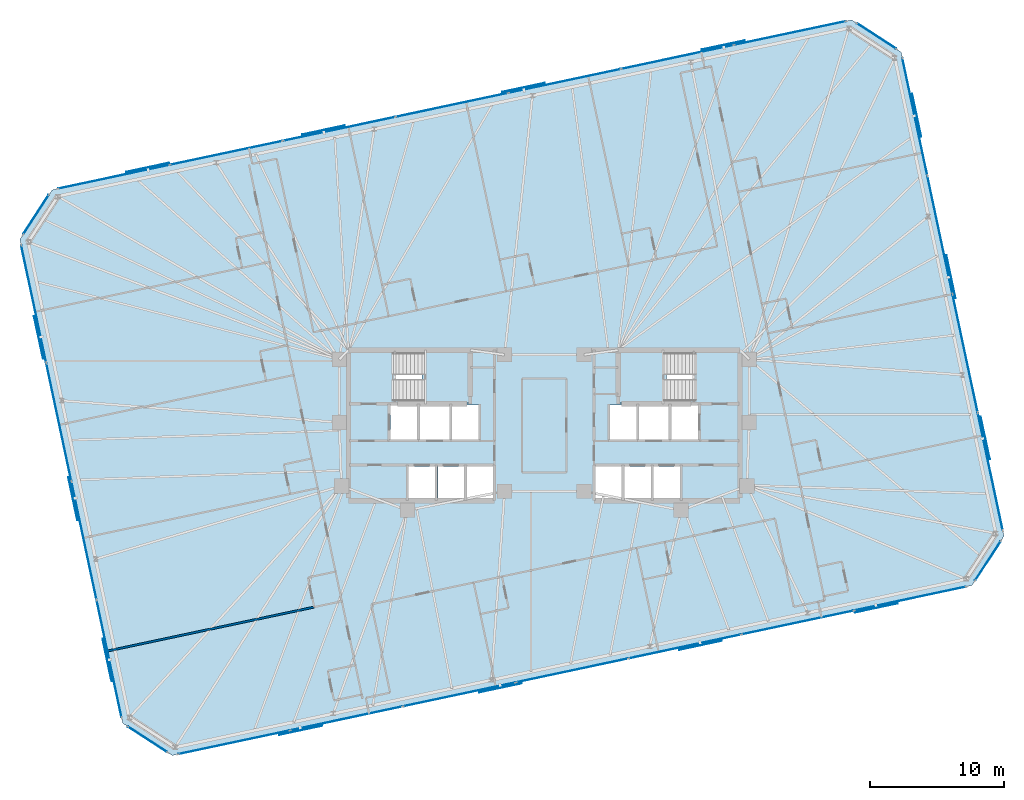
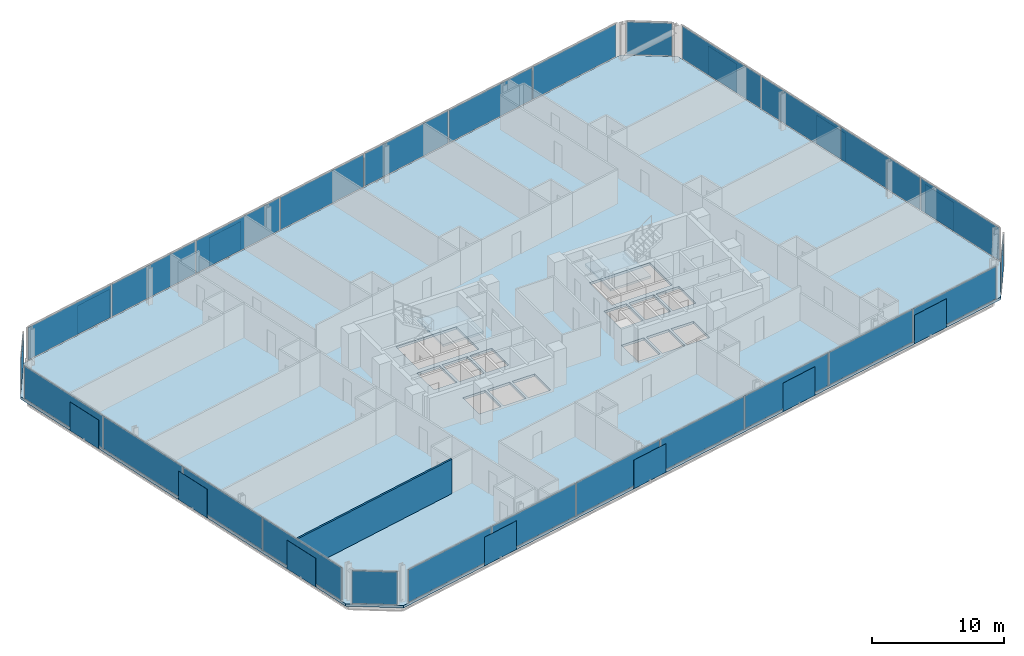
# One storey, part 13 of 19: 40 plates, 3 slabs, 1 wall, 10 elements without a shape of their own.
"""IFC4 building model written with IfcOpenShell, lengths in metres."""

from ifc_helpers import new_model, si_unit, direction, frame, frame_2d, origin, origin_2d, place, context, subcontext, project, spatial, polyline, rectangle, outline, extrude, material, layer, layer_set, type_object, element, aggregate, save


model = new_model("IFC4")

# Units and contexts
model_context = context("Model", 3, precision=1e-05, world=origin(), true_north=direction((0.0, 1.0)))
body_context = subcontext(model_context, "Body", "Model", "MODEL_VIEW")
ifc_project = project(units=[si_unit("LENGTHUNIT", "METRE"), si_unit("AREAUNIT", "SQUARE_METRE"), si_unit("VOLUMEUNIT", "CUBIC_METRE"), si_unit("PLANEANGLEUNIT", "RADIAN"), si_unit("MASSUNIT", "GRAM", prefix="KILO")], contexts=[model_context])

# Site, building, storey
site_placement = place(None, origin())
site = spatial("IfcSite", under=ifc_project, at=site_placement, CompositionType="ELEMENT")
building_placement = place(site_placement, origin())
building = spatial("IfcBuilding", under=site, at=building_placement, Name="Menara Jurai Vektor", CompositionType="ELEMENT")
storey_placement = place(building_placement, frame((0.0, 0.0, 182.0)))
storey = spatial("IfcBuildingStorey", under=building, at=storey_placement, Name="L47", CompositionType="ELEMENT", Elevation=182.0)

# Curtain wall, plates
ifc_material_1 = material(Name="Anodised Pale Aluminium & Low-E Double Glazing", Category="aluminium")
curtain_wall_type = type_object("IfcCurtainWallType", Name="CW-BLK3", PredefinedType="NOTDEFINED", material=ifc_material_1)
curtain_wall_1_placement = place(storey_placement, origin())
curtain_wall_1 = element("IfcCurtainWall", 1, at=curtain_wall_1_placement, inside=storey, type_object=curtain_wall_type, Name="Unitised Curtain Wall L47 F01", PredefinedType="NOTDEFINED")
ifc_material_2 = material(Name="Low-E Solar-Control Double Glazed Unit", Category="glass")
ifc_layer_1 = layer(ifc_material_2, 0.031982421875)
ifc_layer_set_1 = layer_set([ifc_layer_1], Name="Low-E Solar-Control Double Glazed Unit")
plate_type_1 = type_object("IfcPlateType", Name="CW-BLK3-PNL", PredefinedType="CURTAIN_PANEL", material=ifc_layer_set_1)
plate_1_placement = place(storey_placement, frame((-23.078369140625, -23.57568359375, 0.0849609375), z_axis=(0.0, 0.0, 1.0), x_axis=(0.978147674419, 0.207911344156, 0.0)))
plate_1 = element("IfcPlate", 2, at=plate_1_placement, type_object=plate_type_1, Name="CW-03 panel 1.1", PredefinedType="CURTAIN_PANEL", context=body_context, shape_type="SweptSolid", body=[
    extrude(rectangle(XDim=8.44970703125, YDim=0.031982421875, at=origin_2d()), origin(), (0.0, 0.0, 1.0), 3.0048828125),
])
plate_2_placement = place(storey_placement, frame((-14.709228515625, -21.796875, 0.0849609375), z_axis=(0.0, 0.0, 1.0), x_axis=(0.978147674419, 0.207911344156, 0.0)))
plate_2 = element("IfcPlate", 3, at=plate_2_placement, type_object=plate_type_1, Name="CW-03 panel 2.1", PredefinedType="CURTAIN_PANEL", context=body_context, shape_type="SweptSolid", body=[
    extrude(rectangle(XDim=8.4921875, YDim=0.031982421875, at=origin_2d()), origin(), (0.0, 0.0, 1.0), 3.0048828125),
])
plate_3_placement = place(storey_placement, frame((-6.319580078125, -20.013427734375, 0.0849609375), z_axis=(0.0, 0.0, 1.0), x_axis=(0.978147674419, 0.207911344156, 0.0)))
plate_3 = element("IfcPlate", 4, at=plate_3_placement, type_object=plate_type_1, Name="CW-03 panel 3.1", PredefinedType="CURTAIN_PANEL", context=body_context, shape_type="SweptSolid", body=[
    extrude(rectangle(XDim=8.4921875, YDim=0.031982421875, at=origin_2d()), origin(), (0.0, 0.0, 1.0), 3.0048828125),
])
plate_4_placement = place(storey_placement, frame((2.070068359375, -18.230224609375, 0.0849609375), z_axis=(0.0, 0.0, 1.0), x_axis=(0.978147674419, 0.207911344156, 0.0)))
plate_4 = element("IfcPlate", 5, at=plate_4_placement, type_object=plate_type_1, Name="CW-03 panel 4.1", PredefinedType="CURTAIN_PANEL", context=body_context, shape_type="SweptSolid", body=[
    extrude(rectangle(XDim=8.4921875, YDim=0.031982421875, at=origin_2d()), origin(), (0.0, 0.0, 1.0), 3.0048828125),
])
plate_5_placement = place(storey_placement, frame((10.459716796875, -16.447021484375, 0.0849609375), z_axis=(0.0, 0.0, 1.0), x_axis=(0.978147674419, 0.207911344156, 0.0)))
plate_5 = element("IfcPlate", 6, at=plate_5_placement, type_object=plate_type_1, Name="CW-03 panel 5.1", PredefinedType="CURTAIN_PANEL", context=body_context, shape_type="SweptSolid", body=[
    extrude(rectangle(XDim=8.4921875, YDim=0.031982421875, at=origin_2d()), origin(), (0.0, 0.0, 1.0), 3.0048828125),
])
plate_6_placement = place(storey_placement, frame((18.849609375, -14.66357421875, 0.0849609375), z_axis=(0.0, 0.0, 1.0), x_axis=(0.978147674419, 0.207911344156, 0.0)))
plate_6 = element("IfcPlate", 7, at=plate_6_placement, type_object=plate_type_1, Name="CW-03 panel 6.1", PredefinedType="CURTAIN_PANEL", context=body_context, shape_type="SweptSolid", body=[
    extrude(rectangle(XDim=8.4921875, YDim=0.031982421875, at=origin_2d()), origin(), (0.0, 0.0, 1.0), 3.0048828125),
])
plate_7_placement = place(storey_placement, frame((27.218505859375, -12.884765625, 0.0849609375), z_axis=(0.0, 0.0, 1.0), x_axis=(0.978147674419, 0.207911344156, 0.0)))
plate_7 = element("IfcPlate", 8, at=plate_7_placement, type_object=plate_type_1, Name="CW-03 panel 7.1", PredefinedType="CURTAIN_PANEL", context=body_context, shape_type="SweptSolid", body=[
    extrude(rectangle(XDim=8.44970703125, YDim=0.031982421875, at=origin_2d()), origin(), (0.0, 0.0, 1.0), 3.0048828125),
])
aggregate(curtain_wall_1, [plate_1, plate_2, plate_3, plate_4, plate_5, plate_6, plate_7])

curtain_wall_2_placement = place(storey_placement, origin())
curtain_wall_2 = element("IfcCurtainWall", 9, at=curtain_wall_2_placement, inside=storey, type_object=curtain_wall_type, Name="Unitised Curtain Wall L47 F03", PredefinedType="NOTDEFINED")
plate_8_placement = place(storey_placement, frame((33.17333984375, -3.433837890625, 0.0849609375), z_axis=(0.0, 0.0, 1.0), x_axis=(-0.20791035839, 0.978147883949, 0.0)))
plate_8 = element("IfcPlate", 10, at=plate_8_placement, type_object=plate_type_1, Name="CW-03 panel 1.1", PredefinedType="CURTAIN_PANEL", context=body_context, shape_type="SweptSolid", body=[
    extrude(rectangle(XDim=8.882568359375, YDim=0.031982421875, at=origin_2d()), origin(), (0.0, 0.0, 1.0), 3.0048828125),
])
plate_9_placement = place(storey_placement, frame((31.3046875, 5.3583984375, 0.0849609375), z_axis=(0.0, 0.0, 1.0), x_axis=(-0.20791035839, 0.978147883949, 0.0)))
plate_9 = element("IfcPlate", 11, at=plate_9_placement, type_object=plate_type_1, Name="CW-03 panel 2.1", PredefinedType="CURTAIN_PANEL", context=body_context, shape_type="SweptSolid", body=[
    extrude(rectangle(XDim=8.925048828125, YDim=0.031982421875, at=origin_2d()), origin(), (0.0, 0.0, 1.0), 3.0048828125),
])
plate_10_placement = place(storey_placement, frame((29.431396484375, 14.171630859375, 0.0849609375), z_axis=(0.0, 0.0, 1.0), x_axis=(-0.20791035839, 0.978147883949, 0.0)))
plate_10 = element("IfcPlate", 12, at=plate_10_placement, type_object=plate_type_1, Name="CW-03 panel 3.1", PredefinedType="CURTAIN_PANEL", context=body_context, shape_type="SweptSolid", body=[
    extrude(rectangle(XDim=8.925048828125, YDim=0.031982421875, at=origin_2d()), origin(), (0.0, 0.0, 1.0), 3.0048828125),
])
plate_11_placement = place(storey_placement, frame((27.5625, 22.9638671875, 0.0849609375), z_axis=(0.0, 0.0, 1.0), x_axis=(-0.20791035839, 0.978147883949, 0.0)))
plate_11 = element("IfcPlate", 13, at=plate_11_placement, type_object=plate_type_1, Name="CW-03 panel 4.1", PredefinedType="CURTAIN_PANEL", context=body_context, shape_type="SweptSolid", body=[
    extrude(rectangle(XDim=8.882568359375, YDim=0.031982421875, at=origin_2d()), origin(), (0.0, 0.0, 1.0), 3.0048828125),
])
aggregate(curtain_wall_2, [plate_8, plate_9, plate_10, plate_11])

curtain_wall_3_placement = place(storey_placement, origin())
curtain_wall_3 = element("IfcCurtainWall", 14, at=curtain_wall_3_placement, inside=storey, type_object=curtain_wall_type, Name="Unitised Curtain Wall L47 F05", PredefinedType="NOTDEFINED")
plate_12_placement = place(storey_placement, frame((18.2783203125, 29.175537109375, 0.0849609375), z_axis=(0.0, 0.0, 1.0), x_axis=(-0.978147674419, -0.207911344156, 0.0)))
plate_12 = element("IfcPlate", 15, at=plate_12_placement, type_object=plate_type_1, Name="CW-03 panel 1.1", PredefinedType="CURTAIN_PANEL", context=body_context, shape_type="SweptSolid", body=[
    extrude(rectangle(XDim=8.44970703125, YDim=0.031982421875, at=origin_2d()), origin(), (0.0, 0.0, 1.0), 3.0048828125),
])
plate_13_placement = place(storey_placement, frame((9.909423828125, 27.396728515625, 0.0849609375), z_axis=(0.0, 0.0, 1.0), x_axis=(-0.978147674419, -0.207911344156, 0.0)))
plate_13 = element("IfcPlate", 16, at=plate_13_placement, type_object=plate_type_1, Name="CW-03 panel 2.1", PredefinedType="CURTAIN_PANEL", context=body_context, shape_type="SweptSolid", body=[
    extrude(rectangle(XDim=8.4921875, YDim=0.031982421875, at=origin_2d()), origin(), (0.0, 0.0, 1.0), 3.0048828125),
])
plate_14_placement = place(storey_placement, frame((1.51953125, 25.613525390625, 0.0849609375), z_axis=(0.0, 0.0, 1.0), x_axis=(-0.978147674419, -0.207911344156, 0.0)))
plate_14 = element("IfcPlate", 17, at=plate_14_placement, type_object=plate_type_1, Name="CW-03 panel 3.1", PredefinedType="CURTAIN_PANEL", context=body_context, shape_type="SweptSolid", body=[
    extrude(rectangle(XDim=8.4921875, YDim=0.031982421875, at=origin_2d()), origin(), (0.0, 0.0, 1.0), 3.0048828125),
])
plate_15_placement = place(storey_placement, frame((-6.8701171875, 23.830078125, 0.0849609375), z_axis=(0.0, 0.0, 1.0), x_axis=(-0.978147674419, -0.207911344156, 0.0)))
plate_15 = element("IfcPlate", 18, at=plate_15_placement, type_object=plate_type_1, Name="CW-03 panel 4.1", PredefinedType="CURTAIN_PANEL", context=body_context, shape_type="SweptSolid", body=[
    extrude(rectangle(XDim=8.4921875, YDim=0.031982421875, at=origin_2d()), origin(), (0.0, 0.0, 1.0), 3.0048828125),
])
plate_16_placement = place(storey_placement, frame((-15.259765625, 22.046875, 0.0849609375), z_axis=(0.0, 0.0, 1.0), x_axis=(-0.978147674419, -0.207911344156, 0.0)))
plate_16 = element("IfcPlate", 19, at=plate_16_placement, type_object=plate_type_1, Name="CW-03 panel 5.1", PredefinedType="CURTAIN_PANEL", context=body_context, shape_type="SweptSolid", body=[
    extrude(rectangle(XDim=8.4921875, YDim=0.031982421875, at=origin_2d()), origin(), (0.0, 0.0, 1.0), 3.0048828125),
])
plate_17_placement = place(storey_placement, frame((-23.6494140625, 20.263671875, 0.0849609375), z_axis=(0.0, 0.0, 1.0), x_axis=(-0.978147674419, -0.207911344156, 0.0)))
plate_17 = element("IfcPlate", 20, at=plate_17_placement, type_object=plate_type_1, Name="CW-03 panel 6.1", PredefinedType="CURTAIN_PANEL", context=body_context, shape_type="SweptSolid", body=[
    extrude(rectangle(XDim=8.4921875, YDim=0.031982421875, at=origin_2d()), origin(), (0.0, 0.0, 1.0), 3.0048828125),
])
plate_18_placement = place(storey_placement, frame((-32.0185546875, 18.48486328125, 0.0849609375), z_axis=(0.0, 0.0, 1.0), x_axis=(-0.978147674419, -0.207911344156, 0.0)))
plate_18 = element("IfcPlate", 21, at=plate_18_placement, type_object=plate_type_1, Name="CW-03 panel 7.1", PredefinedType="CURTAIN_PANEL", context=body_context, shape_type="SweptSolid", body=[
    extrude(rectangle(XDim=8.44970703125, YDim=0.031982421875, at=origin_2d()), origin(), (0.0, 0.0, 1.0), 3.0048828125),
])
aggregate(curtain_wall_3, [plate_12, plate_13, plate_14, plate_15, plate_16, plate_17, plate_18])

curtain_wall_4_placement = place(storey_placement, origin())
curtain_wall_4 = element("IfcCurtainWall", 22, at=curtain_wall_4_placement, inside=storey, type_object=curtain_wall_type, Name="Unitised Curtain Wall L47 F07", PredefinedType="NOTDEFINED")
plate_19_placement = place(storey_placement, frame((-37.973388671875, 9.033935546875, 0.0849609375), z_axis=(0.0, 0.0, 1.0), x_axis=(0.20791035839, -0.978147883949, 0.0)))
plate_19 = element("IfcPlate", 23, at=plate_19_placement, type_object=plate_type_1, Name="CW-03 panel 1.1", PredefinedType="CURTAIN_PANEL", context=body_context, shape_type="SweptSolid", body=[
    extrude(rectangle(XDim=8.882568359375, YDim=0.031982421875, at=origin_2d()), origin(), (0.0, 0.0, 1.0), 3.0048828125),
])
plate_20_placement = place(storey_placement, frame((-36.1044921875, 0.241455078125, 0.0849609375), z_axis=(0.0, 0.0, 1.0), x_axis=(0.20791035839, -0.978147883949, 0.0)))
plate_20 = element("IfcPlate", 24, at=plate_20_placement, type_object=plate_type_1, Name="CW-03 panel 2.1", PredefinedType="CURTAIN_PANEL", context=body_context, shape_type="SweptSolid", body=[
    extrude(rectangle(XDim=8.925048828125, YDim=0.031982421875, at=origin_2d()), origin(), (0.0, 0.0, 1.0), 3.0048828125),
])
plate_21_placement = place(storey_placement, frame((-34.231201171875, -8.571533203125, 0.0849609375), z_axis=(0.0, 0.0, 1.0), x_axis=(0.20791035839, -0.978147883949, 0.0)))
plate_21 = element("IfcPlate", 25, at=plate_21_placement, type_object=plate_type_1, Name="CW-03 panel 3.1", PredefinedType="CURTAIN_PANEL", context=body_context, shape_type="SweptSolid", body=[
    extrude(rectangle(XDim=8.925048828125, YDim=0.031982421875, at=origin_2d()), origin(), (0.0, 0.0, 1.0), 3.0048828125),
])
plate_22_placement = place(storey_placement, frame((-32.362548828125, -17.364013671875, 0.0849609375), z_axis=(0.0, 0.0, 1.0), x_axis=(0.20791035839, -0.978147883949, 0.0)))
plate_22 = element("IfcPlate", 26, at=plate_22_placement, type_object=plate_type_1, Name="CW-03 panel 4.1", PredefinedType="CURTAIN_PANEL", context=body_context, shape_type="SweptSolid", body=[
    extrude(rectangle(XDim=8.882568359375, YDim=0.031982421875, at=origin_2d()), origin(), (0.0, 0.0, 1.0), 3.0048828125),
])
aggregate(curtain_wall_4, [plate_19, plate_20, plate_21, plate_22])

# Curtain wall, plate
curtain_wall_5_placement = place(storey_placement, origin())
curtain_wall_5 = element("IfcCurtainWall", 27, at=curtain_wall_5_placement, inside=storey, type_object=curtain_wall_type, Name="Unitised Curtain Wall L47 F02", PredefinedType="NOTDEFINED")
ifc_material_3 = material(Name="Insulated Pale Aluminium Spandrel Panel", Category="aluminium")
ifc_layer_2 = layer(ifc_material_3, 0.06005859375)
ifc_layer_set_2 = layer_set([ifc_layer_2], Name="Insulated Pale Aluminium Spandrel Panel")
plate_type_2 = type_object("IfcPlateType", Name="CW-PNL-SP", PredefinedType="CURTAIN_PANEL", material=ifc_layer_set_2)
plate_23_placement = place(storey_placement, frame((32.999755859375, -10.0712890625, 0.0849609375), z_axis=(0.0, 0.0, 1.0), x_axis=(0.544617794346, 0.838684361415, 0.0)))
plate_23 = element("IfcPlate", 28, at=plate_23_placement, type_object=plate_type_2, Name="CW-03 panel 1.1", PredefinedType="CURTAIN_PANEL", context=body_context, shape_type="SweptSolid", body=[
    extrude(rectangle(XDim=3.4541015625, YDim=0.06005859375, at=origin_2d()), origin(), (0.0, 0.0, 1.0), 3.0048828125),
])
aggregate(curtain_wall_5, [plate_23])

curtain_wall_6_placement = place(storey_placement, origin())
curtain_wall_6 = element("IfcCurtainWall", 29, at=curtain_wall_6_placement, inside=storey, type_object=curtain_wall_type, Name="Unitised Curtain Wall L47 F04", PredefinedType="NOTDEFINED")
plate_24_placement = place(storey_placement, frame((24.7041015625, 28.956787109375, 0.0849609375), z_axis=(0.0, 0.0, 1.0), x_axis=(-0.838684361415, 0.544617794346, 0.0)))
plate_24 = element("IfcPlate", 30, at=plate_24_placement, type_object=plate_type_2, Name="CW-03 panel 1.1", PredefinedType="CURTAIN_PANEL", context=body_context, shape_type="SweptSolid", body=[
    extrude(rectangle(XDim=3.4541015625, YDim=0.06005859375, at=origin_2d()), origin(), (0.0, 0.0, 1.0), 3.0048828125),
])
aggregate(curtain_wall_6, [plate_24])

curtain_wall_7_placement = place(storey_placement, origin())
curtain_wall_7 = element("IfcCurtainWall", 31, at=curtain_wall_7_placement, inside=storey, type_object=curtain_wall_type, Name="Unitised Curtain Wall L47 F06", PredefinedType="NOTDEFINED")
plate_25_placement = place(storey_placement, frame((-37.799560546875, 15.67138671875, 0.0849609375), z_axis=(0.0, 0.0, 1.0), x_axis=(-0.544617794346, -0.838684361415, 0.0)))
plate_25 = element("IfcPlate", 32, at=plate_25_placement, type_object=plate_type_2, Name="CW-03 panel 1.1", PredefinedType="CURTAIN_PANEL", context=body_context, shape_type="SweptSolid", body=[
    extrude(rectangle(XDim=3.4541015625, YDim=0.06005859375, at=origin_2d()), origin(), (0.0, 0.0, 1.0), 3.0048828125),
])
aggregate(curtain_wall_7, [plate_25])

curtain_wall_8_placement = place(storey_placement, origin())
curtain_wall_8 = element("IfcCurtainWall", 33, at=curtain_wall_8_placement, inside=storey, type_object=curtain_wall_type, Name="Unitised Curtain Wall L47 F08", PredefinedType="NOTDEFINED")
plate_26_placement = place(storey_placement, frame((-29.50390625, -23.35693359375, 0.0849609375), z_axis=(0.0, 0.0, 1.0), x_axis=(0.838684361415, -0.544617794346, 0.0)))
plate_26 = element("IfcPlate", 34, at=plate_26_placement, type_object=plate_type_2, Name="CW-03 panel 1.1", PredefinedType="CURTAIN_PANEL", context=body_context, shape_type="SweptSolid", body=[
    extrude(rectangle(XDim=3.4541015625, YDim=0.06005859375, at=origin_2d()), origin(), (0.0, 0.0, 1.0), 3.0048828125),
])
aggregate(curtain_wall_8, [plate_26])

# Plates
ifc_material_4 = material(Name="Anodised Pale Aluminium Perforated Screen", Category="aluminium")
ifc_layer_3 = layer(ifc_material_4, 0.02294921875)
ifc_layer_set_3 = layer_set([ifc_layer_3], Name="Anodised Pale Aluminium Perforated Screen")
plate_type_3 = type_object("IfcPlateType", Name="ENV-PLT-SCREEN-MID", PredefinedType="USERDEFINED", material=ifc_layer_set_3)
for number, where, z_axis, x_axis, name in (
    (35, (-18.116943359375, -22.6845703125, -0.050048828125), (0.0, 0.0, 1.0), (0.978147600734, 0.207911690818, 0.0), "Perforated Pale-Metal Solar Screen L47-S01"),
    (36, (-3.2490234375, -19.5244140625, -0.050048828125), (0.0, 0.0, 1.0), (0.978147600734, 0.207911690818, 0.0), "Perforated Pale-Metal Solar Screen L47-S02"),
    (37, (11.618896484375, -16.364013671875, -0.050048828125), (0.0, 0.0, 1.0), (0.978147600734, 0.207911690818, 0.0), "Perforated Pale-Metal Solar Screen L47-S03"),
    (38, (24.702392578125, -13.5830078125, -0.050048828125), (0.0, 0.0, 1.0), (0.978147600734, 0.207911690818, 0.0), "Perforated Pale-Metal Solar Screen L47-S04"),
    (39, (32.806884765625, -0.9404296875, -0.050048828125), (0.0, 0.0, 1.0), (-0.207911690818, 0.978147600734, 0.0), "Perforated Pale-Metal Solar Screen L47-S05"),
    (40, (30.256591796875, 11.05810546875, -0.050048828125), (0.0, 0.0, 1.0), (-0.207911690818, 0.978147600734, 0.0), "Perforated Pale-Metal Solar Screen L47-S06"),
    (41, (27.706298828125, 23.056884765625, -0.050048828125), (0.0, 0.0, 1.0), (-0.207911690818, 0.978147600734, 0.0), "Perforated Pale-Metal Solar Screen L47-S07"),
    (42, (13.31689453125, 28.28466796875, -0.050048828125), (0.0, 0.0, 1.0), (-0.978147600734, -0.207911690818, 0.0), "Perforated Pale-Metal Solar Screen L47-S08"),
    (43, (-1.55078125, 25.12451171875, -0.050048828125), (0.0, 0.0, 1.0), (-0.978147600734, -0.207911690818, 0.0), "Perforated Pale-Metal Solar Screen L47-S09"),
    (44, (-16.418701171875, 21.964111328125, -0.050048828125), (0.0, 0.0, 1.0), (-0.978147600734, -0.207911690818, 0.0), "Perforated Pale-Metal Solar Screen L47-S10"),
    (45, (-29.50244140625, 19.18310546875, -0.050048828125), (0.0, 0.0, 1.0), (-0.978147600734, -0.207911690818, 0.0), "Perforated Pale-Metal Solar Screen L47-S11"),
    (46, (-37.60693359375, 6.54052734375, -0.050048828125), (0.0, 0.0, 1.0), (0.207911690818, -0.978147600734, 0.0), "Perforated Pale-Metal Solar Screen L47-S12"),
    (47, (-35.056640625, -5.458251953125, -0.050048828125), (0.0, 0.0, 1.0), (0.207911690818, -0.978147600734, 0.0), "Perforated Pale-Metal Solar Screen L47-S13"),
    (48, (-32.50634765625, -17.456787109375, -0.050048828125), (0.0, 0.0, 1.0), (0.207911690818, -0.978147600734, 0.0), "Perforated Pale-Metal Solar Screen L47-S14"),
):
    element("IfcPlate", number, at=place(storey_placement, frame(where, z_axis=z_axis, x_axis=x_axis)), inside=storey, type_object=plate_type_3, Name=name, ObjectType="SCREEN", PredefinedType="USERDEFINED", context=body_context, shape_type="SweptSolid", body=[
        extrude(rectangle(XDim=3.25, YDim=0.02294921875, at=origin_2d()), origin(), (0.0, 0.0, 1.0), 2.64990234375),
    ])

# Stair, slab
ifc_material_5 = material(Name="Concrete C40/50", Category="concrete")
stair_type = type_object("IfcStairType", Name="STAIR-DOGLEG-1500", PredefinedType="HALF_TURN_STAIR", material=ifc_material_5)
stair_1_placement = place(storey_placement, origin())
stair_1 = element("IfcStair", 49, at=stair_1_placement, inside=storey, type_object=stair_type, Name="Protected Exit Stair ST1 L47", PredefinedType="HALF_TURN_STAIR")
ifc_layer_4 = layer(ifc_material_5, 0.199951171875)
ifc_layer_set_4 = layer_set([ifc_layer_4], Name="Concrete C40/50")
slab_type_1 = type_object("IfcSlabType", Name="STAIR-LANDING-200", PredefinedType="LANDING", material=ifc_layer_set_4)
slab_1_placement = place(storey_placement, frame((0.0, 0.0, 1.5)))
slab_1 = element("IfcSlab", 50, at=slab_1_placement, type_object=slab_type_1, Name="ST1 landing 1", PredefinedType="LANDING", context=body_context, shape_type="SweptSolid", body=[
    extrude(outline(polyline([(-9.080078125, 1.64990234375), (-5.550048828125, 1.64990234375), (-5.550048828125, 5.550048828125), (-9.080078125, 5.550048828125), (-9.080078125, 1.64990234375)])), origin(), (0.0, 0.0, 1.0), 0.199951171875),
])
aggregate(stair_1, [slab_1])

stair_2_placement = place(storey_placement, origin())
stair_2 = element("IfcStair", 51, at=stair_2_placement, inside=storey, type_object=stair_type, Name="Protected Exit Stair ST2 L47", PredefinedType="HALF_TURN_STAIR")
slab_2_placement = place(storey_placement, frame((0.0, 0.0, 1.5)))
slab_2 = element("IfcSlab", 52, at=slab_2_placement, type_object=slab_type_1, Name="ST2 landing 1", PredefinedType="LANDING", context=body_context, shape_type="SweptSolid", body=[
    extrude(outline(polyline([(5.550048828125, 1.64990234375), (9.080078125, 1.64990234375), (9.080078125, 5.550048828125), (5.550048828125, 5.550048828125), (5.550048828125, 1.64990234375)])), origin(), (0.0, 0.0, 1.0), 0.199951171875),
])
aggregate(stair_2, [slab_2])

# Slab
ifc_layer_5 = layer(ifc_material_5, 0.22509765625)
ifc_layer_set_5 = layer_set([ifc_layer_5], Name="Concrete C40/50")
slab_type_2 = type_object("IfcSlabType", Name="STR-SLAB-TYP200", PredefinedType="FLOOR", material=ifc_layer_set_5)
slab_3_placement = place(storey_placement, frame((0.0, 0.0, -0.22509765625)))
element("IfcSlab", 53, at=slab_3_placement, inside=storey, type_object=slab_type_2, Name="Composite Floor Slab L47", PredefinedType="FLOOR", context=body_context, shape_type="SweptSolid", body=[
    extrude(outline(polyline([(-27.66552734375, -24.55078125), (31.805908203125, -11.90966796875), (34.193603515625, -8.23291015625), (26.54248046875, 27.762939453125), (22.865478515625, 30.150634765625), (-36.605712890625, 17.509765625), (-38.993408203125, 13.8330078125), (-31.34228515625, -22.1630859375), (-27.66552734375, -24.55078125)]), holes=[polyline([(-11.10009765625, 1.89990234375), (-11.10009765625, 5.300048828125), (-5.800048828125, 5.300048828125), (-5.800048828125, 1.89990234375), (-11.10009765625, 1.89990234375)]), polyline([(5.800048828125, 1.89990234375), (5.800048828125, 5.300048828125), (11.10009765625, 5.300048828125), (11.10009765625, 1.89990234375), (5.800048828125, 1.89990234375)]), polyline([(-11.449951171875, -1.050048828125), (-11.449951171875, 1.5), (-9.449951171875, 1.5), (-9.449951171875, -1.050048828125), (-11.449951171875, -1.050048828125)]), polyline([(9.449951171875, -1.050048828125), (9.449951171875, 1.5), (11.449951171875, 1.5), (11.449951171875, -1.050048828125), (9.449951171875, -1.050048828125)]), polyline([(-5.760009765625, -5.5), (-5.760009765625, -3.050048828125), (-3.800048828125, -3.050048828125), (-3.800048828125, -5.5), (-5.760009765625, -5.5)]), polyline([(-6.85009765625, -1.050048828125), (-6.85009765625, 1.5), (-4.889892578125, 1.5), (-4.889892578125, -1.050048828125), (-6.85009765625, -1.050048828125)]), polyline([(3.800048828125, -5.5), (3.800048828125, -3.050048828125), (5.760009765625, -3.050048828125), (5.760009765625, -5.5), (3.800048828125, -5.5)]), polyline([(4.889892578125, -1.050048828125), (4.889892578125, 1.5), (6.85009765625, 1.5), (6.85009765625, -1.050048828125), (4.889892578125, -1.050048828125)]), polyline([(-10.080078125, -5.5), (-10.080078125, -3.050048828125), (-8.1201171875, -3.050048828125), (-8.1201171875, -5.5), (-10.080078125, -5.5)]), polyline([(-7.919921875, -5.5), (-7.919921875, -3.050048828125), (-5.9599609375, -3.050048828125), (-5.9599609375, -5.5), (-7.919921875, -5.5)]), polyline([(5.9599609375, -5.5), (5.9599609375, -3.050048828125), (7.919921875, -3.050048828125), (7.919921875, -5.5), (5.9599609375, -5.5)]), polyline([(8.1201171875, -5.5), (8.1201171875, -3.050048828125), (10.080078125, -3.050048828125), (10.080078125, -5.5), (8.1201171875, -5.5)]), polyline([(-9.25, -1.050048828125), (-9.25, 1.5), (-7.050048828125, 1.5), (-7.050048828125, -1.050048828125), (-9.25, -1.050048828125)]), polyline([(7.050048828125, -1.050048828125), (7.050048828125, 1.5), (9.25, 1.5), (9.25, -1.050048828125), (7.050048828125, -1.050048828125)])]), origin(), (0.0, 0.0, 1.0), 0.22509765625),
])

# Wall
ifc_material_6 = material(Name="Gypsum Fireboard Partition", Category="gypsum")
ifc_layer_6 = layer(ifc_material_6, 0.14990234375)
ifc_layer_set_6 = layer_set([ifc_layer_6], Name="Gypsum Fireboard Partition")
wall_type = type_object("IfcWallType", Name="INT-WALL-CORR-150", PredefinedType="PARTITIONING", material=ifc_layer_set_6)
wall_placement = place(storey_placement, frame((-32.48583984375, -16.783203125, 0.0), z_axis=(0.0, 0.0, 1.0), x_axis=(0.978146137903, 0.207918572776, 0.0)))
element("IfcWall", 54, at=wall_placement, inside=storey, type_object=wall_type, Name="Interior Wall IW-150 L47", PredefinedType="PARTITIONING", context=body_context, shape_type="SweptSolid", body=[
    extrude(rectangle(XDim=15.718017578125, YDim=0.14990234375, at=frame_2d((7.85888671875, 0.0))), origin(), (0.0, 0.0, 1.0), 3.175048828125),
])

save(model, "model.ifc")
